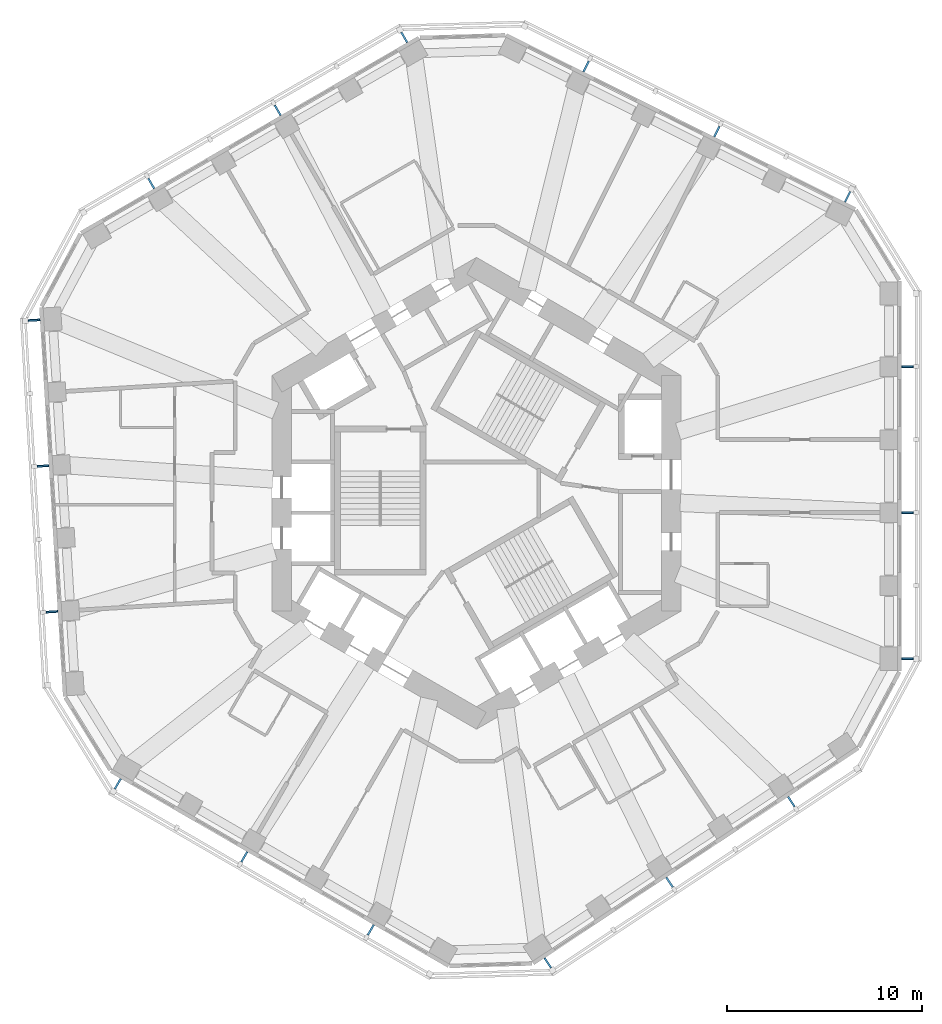
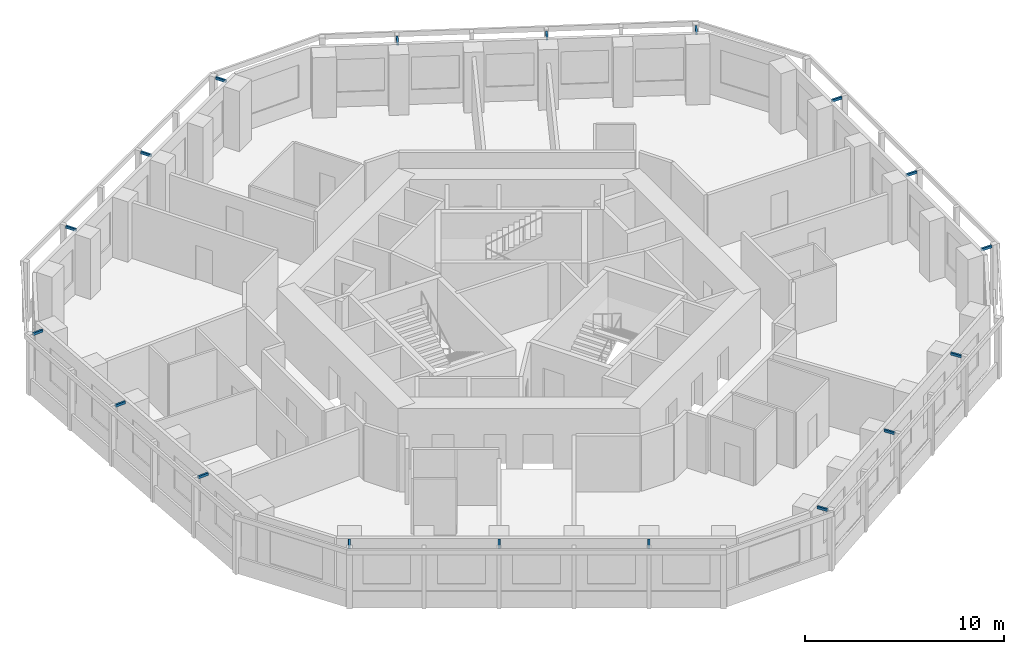
# One storey, part 10 of 11: 18 discrete accessories.
"""IFC4 building model written with IfcOpenShell, lengths in metres."""

from ifc_helpers import new_model, si_unit, direction, frame, origin, origin_2d, place, context, subcontext, project, spatial, rectangle, extrude, material, type_object, element, save


model = new_model("IFC4")

# Units and contexts
model_context = context("Model", 3, precision=1e-05, world=origin(), true_north=direction((0.0, 1.0)))
body_context = subcontext(model_context, "Body", "Model", "MODEL_VIEW")
ifc_project = project(units=[si_unit("LENGTHUNIT", "METRE"), si_unit("AREAUNIT", "SQUARE_METRE"), si_unit("VOLUMEUNIT", "CUBIC_METRE"), si_unit("PLANEANGLEUNIT", "RADIAN"), si_unit("MASSUNIT", "GRAM", prefix="KILO")], contexts=[model_context])

# Site, building, storey
site_placement = place(None, origin())
site = spatial("IfcSite", under=ifc_project, at=site_placement, CompositionType="ELEMENT")
building_placement = place(site_placement, origin())
building = spatial("IfcBuilding", under=site, at=building_placement, Name="Vanh Sen Convention Tower", CompositionType="ELEMENT")
storey_placement = place(building_placement, frame((0.0, 0.0, 154.0)))
storey = spatial("IfcBuildingStorey", under=building, at=storey_placement, Name="L37", CompositionType="ELEMENT", Elevation=154.0)

# Discrete accessories
ifc_material = material(Name="Steel S355", Category="steel")
discrete_accessory_type = type_object("IfcDiscreteAccessoryType", Name="Fin bracket 100 x 150", PredefinedType="BRACKET", material=ifc_material)
for number, where, z_axis, x_axis, name in (
    (1, (22.14990234375, -8.5009765625, 3.5), (0.0, 0.0, 1.0), (1.0, 0.0, 0.0), "Fin bracket E-1 L37"),
    (2, (22.14990234375, -0.992919921875, 3.5), (0.0, 0.0, 1.0), (1.0, 0.0, 0.0), "Fin bracket E-3 L37"),
    (3, (22.14990234375, 6.515380859375, 3.5), (0.0, 0.0, 1.0), (1.0, 0.0, 0.0), "Fin bracket E-5 L37"),
    (4, (19.073974609375, 15.240478515625, 3.5), (0.0, 0.0, 1.0), (0.44619781311, 0.894934361602, 0.0), "Fin bracket NE-1 L37"),
    (5, (12.3544921875, 18.5908203125, 3.5), (0.0, 0.0, 1.0), (0.44619781311, 0.894934361602, 0.0), "Fin bracket NE-3 L37"),
    (6, (5.635009765625, 21.94091796875, 3.5), (0.0, 0.0, 1.0), (0.44619781311, 0.894934361602, 0.0), "Fin bracket NE-5 L37"),
    (7, (-3.712890625, 23.432861328125, 3.5), (0.0, 0.0, 1.0), (-0.5, 0.866025403784, 0.0), "Fin bracket NW-1 L37"),
    (8, (-10.215087890625, 19.6787109375, 3.5), (0.0, 0.0, 1.0), (-0.5, 0.866025403784, 0.0), "Fin bracket NW-3 L37"),
    (9, (-16.717529296875, 15.9248046875, 3.5), (0.0, 0.0, 1.0), (-0.5, 0.866025403784, 0.0), "Fin bracket NW-5 L37"),
    (10, (-22.735595703125, 8.898193359375, 3.5), (0.0, 0.0, 1.0), (-0.998134798422, -0.061048539535, 0.0), "Fin bracket W-1 L37"),
    (11, (-22.277099609375, 1.40380859375, 3.5), (0.0, 0.0, 1.0), (-0.998134798422, -0.061048539535, 0.0), "Fin bracket W-3 L37"),
    (12, (-21.81884765625, -6.09033203125, 3.5), (0.0, 0.0, 1.0), (-0.998134798422, -0.061048539535, 0.0), "Fin bracket W-5 L37"),
    (13, (-18.43701171875, -14.931884765625, 3.5), (0.0, 0.0, 1.0), (-0.5, -0.866025403784, 0.0), "Fin bracket SW-1 L37"),
    (14, (-11.934814453125, -18.68603515625, 3.5), (0.0, 0.0, 1.0), (-0.5, -0.866025403784, 0.0), "Fin bracket SW-3 L37"),
    (15, (-5.4326171875, -22.440185546875, 3.5), (0.0, 0.0, 1.0), (-0.5, -0.866025403784, 0.0), "Fin bracket SW-5 L37"),
    (16, (3.66162109375, -24.138671875, 3.5), (0.0, 0.0, 1.0), (0.551936985312, -0.833885822067, 0.0), "Fin bracket SE-1 L37"),
    (17, (9.922607421875, -19.99462890625, 3.5), (0.0, 0.0, 1.0), (0.551936985312, -0.833885822067, 0.0), "Fin bracket SE-3 L37"),
    (18, (16.18359375, -15.8505859375, 3.5), (0.0, 0.0, 1.0), (0.551936985312, -0.833885822067, 0.0), "Fin bracket SE-5 L37"),
):
    element("IfcDiscreteAccessory", number, at=place(storey_placement, frame(where, z_axis=z_axis, x_axis=x_axis)), inside=storey, type_object=discrete_accessory_type, Name=name, PredefinedType="BRACKET", context=body_context, shape_type="SweptSolid", body=[
        extrude(rectangle(XDim=0.60009765625, YDim=0.10009765625, at=origin_2d()), origin(), (0.0, 0.0, 1.0), 0.14990234375),
    ])

save(model, "model.ifc")
